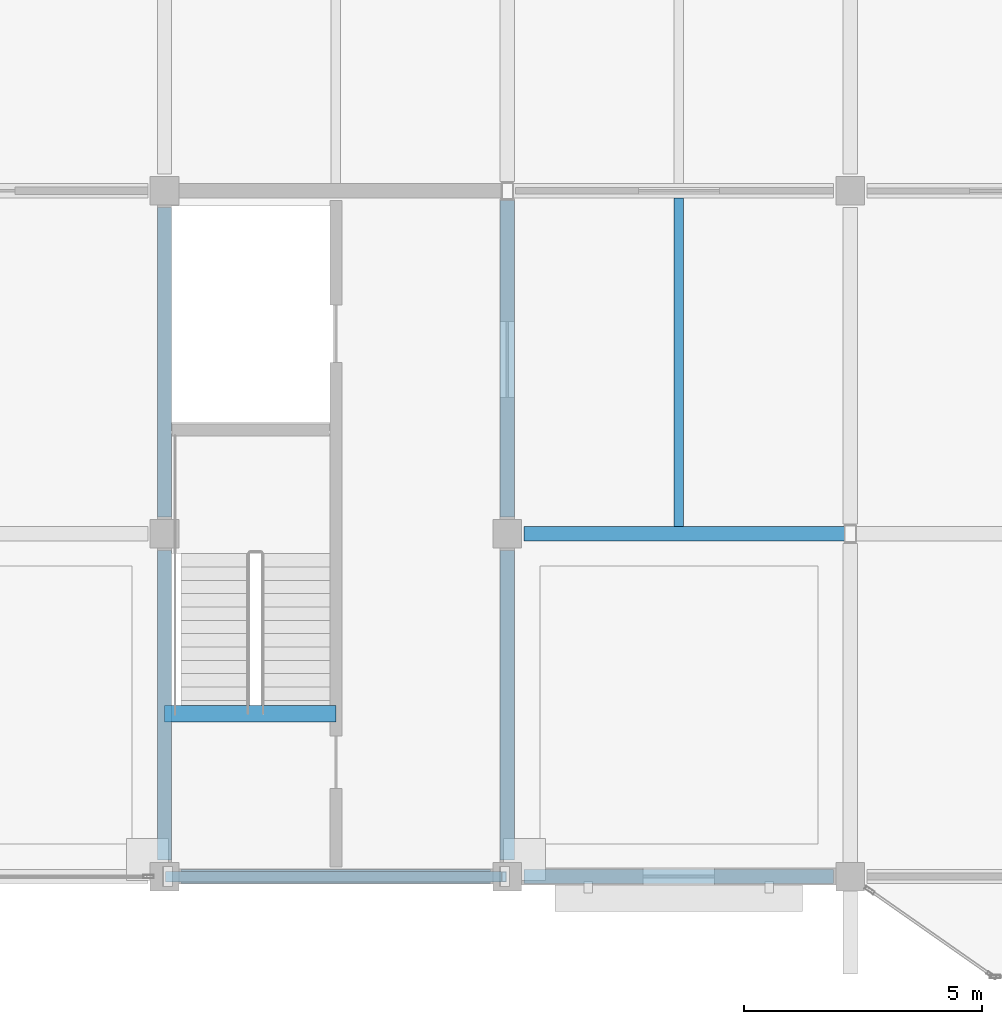
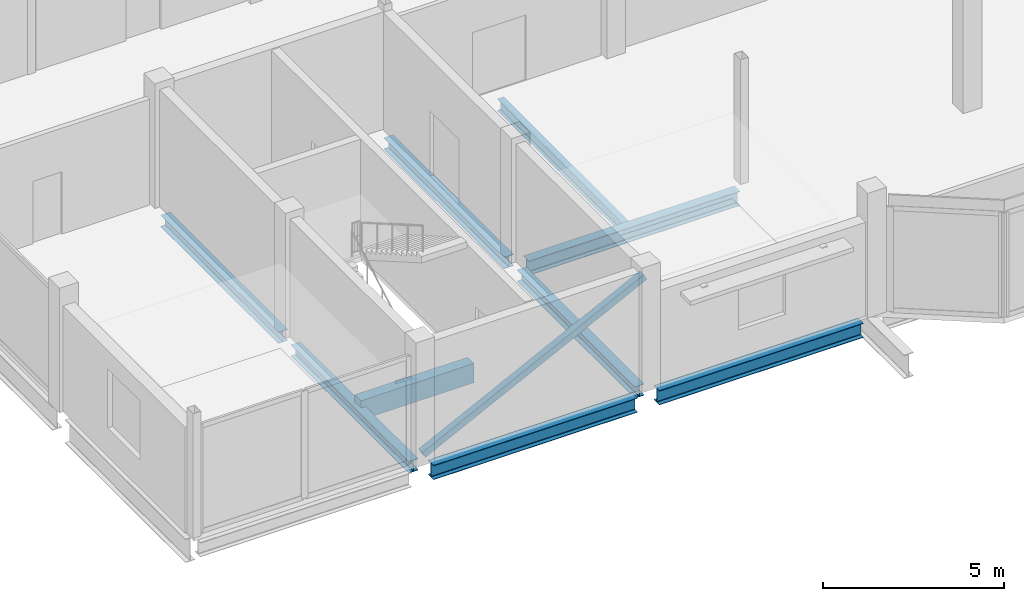
# One storey, part 10 of 51: 9 beams, 1 member.
"""IFC4 building model written with IfcOpenShell, lengths in metres."""

from ifc_helpers import new_model, si_unit, direction, frame, origin, origin_2d, place, context, subcontext, project, spatial, rectangle, hollow_rectangle, i_section, extrude, material, material_profile, profile_set, type_object, element, save


model = new_model("IFC4")

# Units and contexts
model_context = context("Model", 3, precision=1e-05, world=origin(), true_north=direction((0.0, 1.0)))
body_context = subcontext(model_context, "Body", "Model", "MODEL_VIEW")
ifc_project = project(units=[si_unit("LENGTHUNIT", "METRE"), si_unit("AREAUNIT", "SQUARE_METRE"), si_unit("VOLUMEUNIT", "CUBIC_METRE"), si_unit("PLANEANGLEUNIT", "RADIAN"), si_unit("MASSUNIT", "GRAM", prefix="KILO")], contexts=[model_context])

# Site, building, storey
site_placement = place(None, origin())
site = spatial("IfcSite", under=ifc_project, at=site_placement, CompositionType="ELEMENT")
building_placement = place(site_placement, origin())
building = spatial("IfcBuilding", under=site, at=building_placement, Name="Vesperath Aquatics Centre", CompositionType="ELEMENT")
storey_placement = place(building_placement, frame((0.0, 0.0, 15.0)))
storey = spatial("IfcBuildingStorey", under=building, at=storey_placement, Name="L03", CompositionType="ELEMENT", Elevation=15.0)

# Beams
ifc_material_1 = material(Name="Concrete C35", Category="concrete")
ifc_material_profile_1 = material_profile(ifc_material_1, rectangle(XDim=0.35009765625, YDim=0.64990234375, at=origin_2d()), Name="RC 350x650")
ifc_profile_set_1 = profile_set([ifc_material_profile_1], Name="Concrete C35")
beam_type_1 = type_object("IfcBeamType", Name="BM-G05", PredefinedType="BEAM", material=ifc_profile_set_1)
beam_1_placement = place(storey_placement, frame((122.39990234375, 3.419921875, -0.324951171875), z_axis=(1.0, 0.0, 0.0), x_axis=(0.0, 1.0, 0.0)))
element("IfcBeam", 1, at=beam_1_placement, inside=storey, type_object=beam_type_1, Name="Stair ST5 Landing Trimmer Beam B05 L03", PredefinedType="BEAM", context=body_context, shape_type="SweptSolid", body=[
    extrude(rectangle(XDim=0.35009765625, YDim=0.64990234375, at=origin_2d()), origin(), (0.0, 0.0, 1.0), 3.60009765625),
])
ifc_material_2 = material(Name="Steel Q355C", Category="steel")
ifc_material_profile_2 = material_profile(ifc_material_2, i_section(OverallWidth=0.300048828125, OverallDepth=0.488037109375, WebThickness=0.010986328125, FlangeThickness=0.01806640625, FilletRadius=0.02587890625, at=origin_2d()), Name="HM 488x300x11x18")
ifc_profile_set_2 = profile_set([ifc_material_profile_2], Name="Steel Q355C")
beam_type_2 = type_object("IfcBeamType", Name="BM-G10", PredefinedType="BEAM", material=ifc_profile_set_2)
for number, where, z_axis, x_axis, name in (
    (2, (122.75, 0.0, -0.48388671875), (1.0, 0.0, 0.0), (0.0, 1.0, 0.0), "Floor Girder B10 L03 A 18-19"),
    (3, (129.949951171875, 0.0, -0.48388671875), (1.0, 0.0, 0.0), (0.0, 1.0, 0.0), "Floor Girder B10 L03 A 19-20"),
):
    element("IfcBeam", number, at=place(storey_placement, frame(where, z_axis=z_axis, x_axis=x_axis)), inside=storey, type_object=beam_type_2, Name=name, PredefinedType="BEAM", context=body_context, shape_type="SweptSolid", body=[
        extrude(i_section(OverallWidth=0.300048828125, OverallDepth=0.488037109375, WebThickness=0.010986328125, FlangeThickness=0.01806640625, FilletRadius=0.02587890625, at=origin_2d()), origin(), (0.0, 0.0, 1.0), 6.5),
    ])
beam_2_placement = place(storey_placement, frame((129.949951171875, 7.199951171875, -0.48388671875), z_axis=(1.0, 0.0, 0.0), x_axis=(0.0, 1.0, 0.0)))
element("IfcBeam", 4, at=beam_2_placement, inside=storey, type_object=beam_type_2, Name="Floor Girder B10 L03 B 19-20", PredefinedType="BEAM", context=body_context, shape_type="SweptSolid", body=[
    extrude(i_section(OverallWidth=0.300048828125, OverallDepth=0.488037109375, WebThickness=0.010986328125, FlangeThickness=0.01806640625, FilletRadius=0.02587890625, at=origin_2d()), origin(), (0.0, 0.0, 1.0), 6.72509765625),
])
ifc_material_profile_3 = material_profile(ifc_material_2, i_section(OverallWidth=0.300048828125, OverallDepth=0.389892578125, WebThickness=0.010009765625, FlangeThickness=0.01611328125, FilletRadius=0.02197265625, at=origin_2d()), Name="HM 390x300x10x16")
ifc_profile_set_3 = profile_set([ifc_material_profile_3], Name="Steel Q355C")
beam_type_3 = type_object("IfcBeamType", Name="BM-G11", PredefinedType="BEAM", material=ifc_profile_set_3)
for number, where, z_axis, x_axis, name in (
    (5, (122.39990234375, 0.35009765625, -0.43505859375), (0.0, 1.0, 0.0), (-1.0, 0.0, 0.0), "Floor Girder B11 L03 18 A-B"),
    (6, (122.39990234375, 7.550048828125, -0.43505859375), (0.0, 1.0, 0.0), (-1.0, 0.0, 0.0), "Floor Girder B11 L03 18 B-C"),
    (7, (129.60009765625, 0.35009765625, -0.43505859375), (0.0, 1.0, 0.0), (-1.0, 0.0, 0.0), "Floor Girder B11 L03 19 A-B"),
):
    element("IfcBeam", number, at=place(storey_placement, frame(where, z_axis=z_axis, x_axis=x_axis)), inside=storey, type_object=beam_type_3, Name=name, PredefinedType="BEAM", context=body_context, shape_type="SweptSolid", body=[
        extrude(i_section(OverallWidth=0.300048828125, OverallDepth=0.389892578125, WebThickness=0.010009765625, FlangeThickness=0.01611328125, FilletRadius=0.02197265625, at=origin_2d()), origin(), (0.0, 0.0, 1.0), 6.5),
    ])
beam_3_placement = place(storey_placement, frame((129.60009765625, 7.550048828125, -0.43505859375), z_axis=(0.0, 1.0, 0.0), x_axis=(-1.0, 0.0, 0.0)))
element("IfcBeam", 8, at=beam_3_placement, inside=storey, type_object=beam_type_3, Name="Floor Girder B11 L03 19 B-C", PredefinedType="BEAM", context=body_context, shape_type="SweptSolid", body=[
    extrude(i_section(OverallWidth=0.300048828125, OverallDepth=0.389892578125, WebThickness=0.010009765625, FlangeThickness=0.01611328125, FilletRadius=0.02197265625, at=origin_2d()), origin(), (0.0, 0.0, 1.0), 6.64990234375),
])
ifc_material_profile_4 = material_profile(ifc_material_2, i_section(OverallWidth=0.199951171875, OverallDepth=0.39990234375, WebThickness=0.008056640625, FlangeThickness=0.012939453125, FilletRadius=0.01611328125, at=origin_2d()), Name="HN 400x200x8x13")
ifc_profile_set_4 = profile_set([ifc_material_profile_4], Name="Steel Q355C")
beam_type_4 = type_object("IfcBeamType", Name="BM-J04", PredefinedType="JOIST", material=ifc_profile_set_4)
beam_4_placement = place(storey_placement, frame((133.199951171875, 7.35009765625, -0.43994140625), z_axis=(0.0, 1.0, 0.0), x_axis=(-1.0, 0.0, 0.0)))
element("IfcBeam", 9, at=beam_4_placement, inside=storey, type_object=beam_type_4, Name="Secondary Floor Joist J04 L03 19/B", PredefinedType="JOIST", context=body_context, shape_type="SweptSolid", body=[
    extrude(i_section(OverallWidth=0.199951171875, OverallDepth=0.39990234375, WebThickness=0.008056640625, FlangeThickness=0.012939453125, FilletRadius=0.01611328125, at=origin_2d()), origin(), (0.0, 0.0, 1.0), 6.89990234375),
])

# Member
ifc_material_3 = material(Name="Steel Q355D", Category="steel")
ifc_material_profile_5 = material_profile(ifc_material_3, hollow_rectangle(XDim=0.219970703125, YDim=0.219970703125, WallThickness=0.010009765625, at=origin_2d()), Name="SHS 220x220x10")
ifc_profile_set_5 = profile_set([ifc_material_profile_5], Name="Steel Q355D")
member_type = type_object("IfcMemberType", Name="MB-BR02", PredefinedType="BRACE", material=ifc_profile_set_5)
member_placement = place(storey_placement, frame((122.471435546875, 0.0, 0.185791015625), z_axis=(0.894439567874, 0.0, 0.447188840895), x_axis=(0.0, 1.0, 0.0)))
element("IfcMember", 10, at=member_placement, inside=storey, type_object=member_type, Name="Lateral Braced Frame Strut C5_S L03", PredefinedType="BRACE", context=body_context, shape_type="SweptSolid", body=[
    extrude(hollow_rectangle(XDim=0.219970703125, YDim=0.219970703125, WallThickness=0.010009765625, at=origin_2d()), origin(), (0.0, 0.0, 1.0), 7.889892578125),
])

save(model, "model.ifc")
